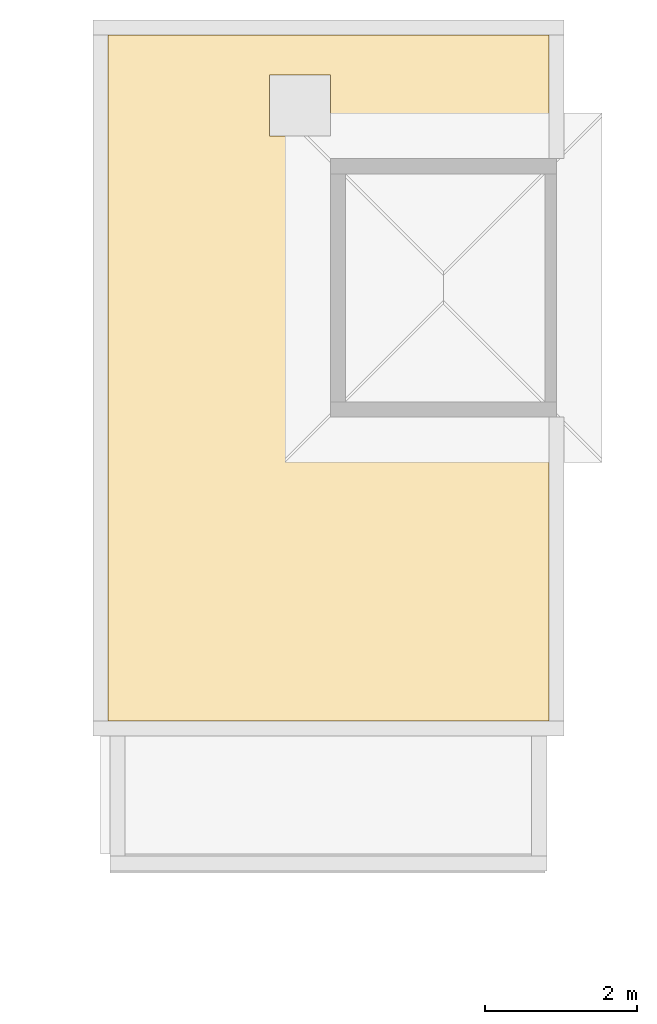
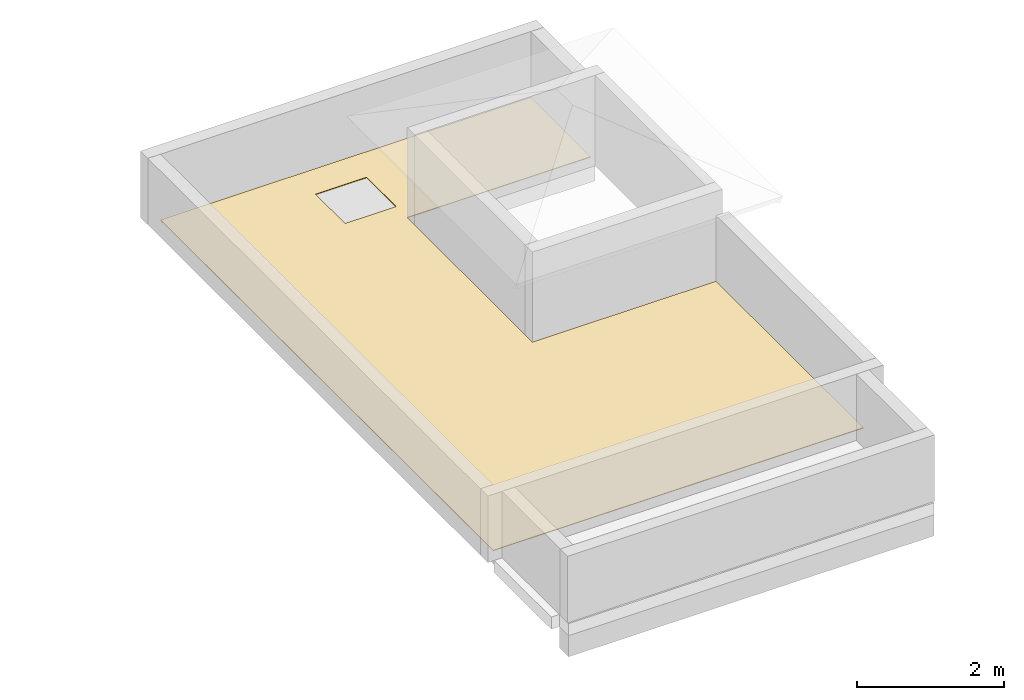
# One storey, part 39 of 41: 1 covering.
"""IFC4 building model written with IfcOpenShell, lengths in metres."""

from ifc_helpers import new_model, si_unit, direction, frame, origin, place, context, subcontext, project, spatial, polyline, outline, extrude, material, layer, layer_set, type_object, element, save


model = new_model("IFC4")

# Units and contexts
model_context = context("Model", 3, precision=1e-05, world=origin(), true_north=direction((0.0, 1.0)))
body_context = subcontext(model_context, "Body", "Model", "MODEL_VIEW")
ifc_project = project(units=[si_unit("LENGTHUNIT", "METRE"), si_unit("AREAUNIT", "SQUARE_METRE"), si_unit("VOLUMEUNIT", "CUBIC_METRE"), si_unit("PLANEANGLEUNIT", "RADIAN"), si_unit("MASSUNIT", "GRAM", prefix="KILO")], contexts=[model_context])

# Site, building, storey
site_placement = place(None, origin())
site = spatial("IfcSite", under=ifc_project, at=site_placement, CompositionType="ELEMENT")
building_placement = place(site_placement, origin())
building = spatial("IfcBuilding", under=site, at=building_placement, Name="Ridgestep Commons", CompositionType="ELEMENT")
storey_placement = place(building_placement, frame((0.0, 0.0, 39.0)))
storey = spatial("IfcBuildingStorey", under=building, at=storey_placement, Name="L13", CompositionType="ELEMENT", Elevation=39.0)

# Covering
ifc_material = material(Name="Bitumen membrane, two layer")
ifc_layer = layer(ifc_material, 0.011962890625)
ifc_layer_set = layer_set([ifc_layer], Name="Roof membrane 12")
covering_type = type_object("IfcCoveringType", Name="Roof membrane 12", PredefinedType="ROOFING", material=ifc_layer_set)
covering_placement = place(storey_placement, origin())
element("IfcCovering", 1, at=covering_placement, inside=storey, type_object=covering_type, Name="Roof membrane C5C", PredefinedType="ROOFING", context=body_context, shape_type="SweptSolid", body=[
    extrude(outline(polyline([(224.89990234375, 68.0), (224.89990234375, 77.02490234375), (230.699951171875, 77.02490234375), (230.699951171875, 75.39990234375), (227.824951171875, 75.39990234375), (227.824951171875, 72.0), (230.699951171875, 72.0), (230.699951171875, 68.0), (224.89990234375, 68.0)]), holes=[polyline([(227.824951171875, 76.5), (227.02490234375, 76.5), (227.02490234375, 75.699951171875), (227.824951171875, 75.699951171875), (227.824951171875, 76.5)])]), origin(), (0.0, 0.0, 1.0), 0.011962890625),
])

save(model, "model.ifc")
